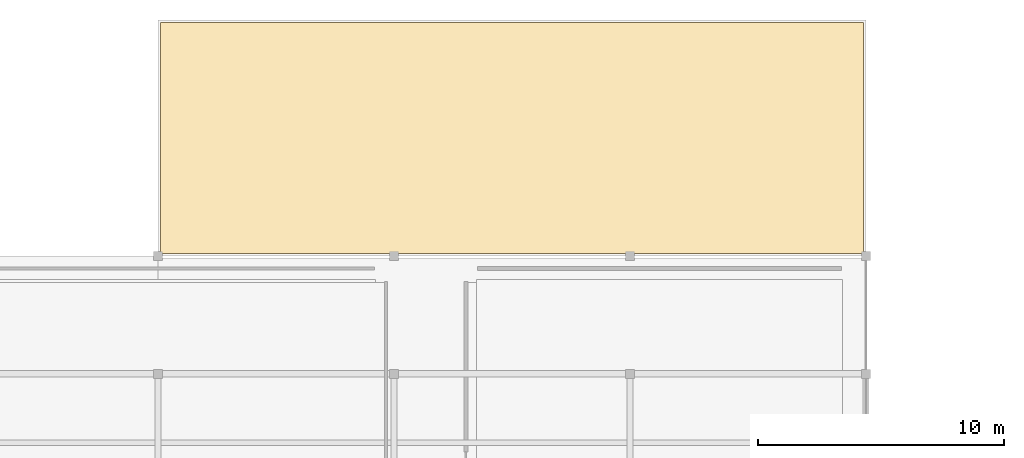
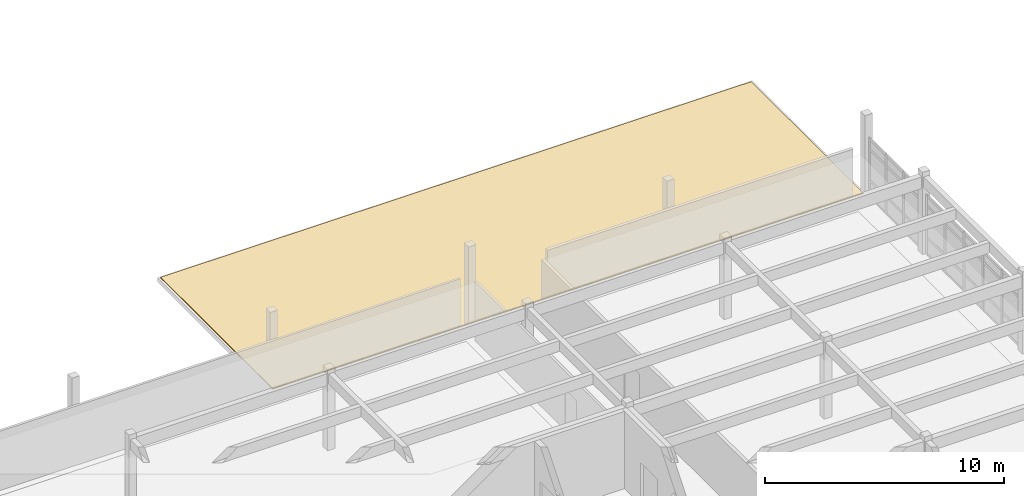
# One storey, part 59 of 61: 1 covering.
"""IFC4 building model written with IfcOpenShell, lengths in metres."""

import ifcopenshell
import ifcopenshell.guid

model = None  # the IFC model being written
_history = None  # IfcOwnerHistory: only IFC2X3 demands one
_inside = {}  # id of a spatial element -> (the spatial element, [elements in it])
_under = {}  # id of a project, library or spatial element -> (it, [spatial elements below it])
_declared = {}  # id of a project -> (the project, [libraries it declares])
_typed = {}  # id of a type object -> (the type object, [elements of that type])
_made_of = {}  # id of a material, layer set ... -> (it, [elements and type objects made of it])


def new_model(schema):
    """Start an empty IFC model of exactly this schema.

    Asked for "IFC4X3", IfcOpenShell would pick the latest addendum, in which some entities
    have other attributes; the version numbers below select the first issue.
    IFC2X3 requires an IfcOwnerHistory on every rooted entity: one is made here for all.
    """
    global model, _history
    if schema == "IFC4X3":
        model = ifcopenshell.file(schema_version=(4, 3, 0, 0))
    else:
        model = ifcopenshell.file(schema=schema)
    _inside.clear()
    _under.clear()
    _declared.clear()
    _typed.clear()
    _made_of.clear()
    _history = None
    if model.schema == "IFC2X3":
        org = make("IfcOrganization", Name="unknown")
        user = make(
            "IfcPersonAndOrganization",
            ThePerson=make("IfcPerson", FamilyName="unknown"),
            TheOrganization=org,
        )
        app = make(
            "IfcApplication",
            ApplicationDeveloper=org,
            Version="unknown",
            ApplicationFullName="unknown",
            ApplicationIdentifier="unknown",
        )
        _history = make(
            "IfcOwnerHistory",
            OwningUser=user,
            OwningApplication=app,
            ChangeAction="ADDED",
            CreationDate=0,
        )
    return model


def make(cls, **values):
    """One entity of the class cls with the attributes given. An attribute that is None is left unset."""
    return model.create_entity(
        cls, **{name: value for name, value in values.items() if value is not None}
    )


def rooted(cls, **values):
    """An entity with a GlobalId (a new one), such as an element, a storey or a relation."""
    return make(cls, GlobalId=ifcopenshell.guid.new(), OwnerHistory=_history, **values)


def si_unit(unit_type, name, prefix=None):
    """IfcSIUnit, for example si_unit("LENGTHUNIT", "METRE", prefix="MILLI")."""
    return make("IfcSIUnit", UnitType=unit_type, Prefix=prefix, Name=name)


def assignment(units):
    """IfcUnitAssignment: the units of a project."""
    return None if units is None else make("IfcUnitAssignment", Units=units)


def point(xyz):
    """IfcCartesianPoint."""
    return None if xyz is None else make("IfcCartesianPoint", Coordinates=xyz)


def direction(xyz):
    """IfcDirection."""
    return None if xyz is None else make("IfcDirection", DirectionRatios=xyz)


def frame(location, z_axis=None, x_axis=None):
    """IfcAxis2Placement3D, a coordinate frame: its origin and axes. An axis left out is left unset."""
    return make(
        "IfcAxis2Placement3D",
        Location=point(location),
        Axis=direction(z_axis),
        RefDirection=direction(x_axis),
    )


def origin():
    """The frame at (0, 0, 0) with its axes left unset."""
    return frame((0.0, 0.0, 0.0))


def place(relative_to, where):
    """IfcLocalPlacement: puts the frame where relative to a parent placement (None: the world)."""
    return make(
        "IfcLocalPlacement", PlacementRelTo=relative_to, RelativePlacement=where
    )


def context(
    kind, dimensions, precision=None, world=None, true_north=None, identifier=None
):
    """IfcGeometricRepresentationContext, for example the 3D "Model" context."""
    return make(
        "IfcGeometricRepresentationContext",
        ContextIdentifier=identifier,
        ContextType=kind,
        CoordinateSpaceDimension=dimensions,
        Precision=precision,
        WorldCoordinateSystem=world,
        TrueNorth=true_north,
    )


def subcontext(parent, identifier, kind, view, scale=None):
    """IfcGeometricRepresentationSubContext, for example "Body" below "Model"."""
    return make(
        "IfcGeometricRepresentationSubContext",
        ContextIdentifier=identifier,
        ContextType=kind,
        ParentContext=parent,
        TargetScale=scale,
        TargetView=view,
    )


def project(units=None, contexts=None):
    """IfcProject with its units and contexts."""
    return rooted(
        "IfcProject",
        Name="project",
        RepresentationContexts=contexts,
        UnitsInContext=assignment(units),
    )


def spatial(cls, under=None, at=None, **own):
    """A site, building, storey or space (cls), placed at a placement, below another one or the project."""
    s = rooted(cls, ObjectPlacement=at, **own)
    if under is not None:
        _under.setdefault(under.id(), (under, []))[1].append(s)
    return s


def polyline(points):
    """IfcPolyline through the points."""
    return make("IfcPolyline", Points=[point(p) for p in points])


def outline(outer, holes=None, kind="AREA"):
    """IfcArbitraryClosedProfileDef: a profile drawn as a closed curve; with holes, ...WithVoids."""
    if holes is None:
        return make("IfcArbitraryClosedProfileDef", ProfileType=kind, OuterCurve=outer)
    return make(
        "IfcArbitraryProfileDefWithVoids",
        ProfileType=kind,
        OuterCurve=outer,
        InnerCurves=holes,
    )


def extrude(swept, where, along, depth):
    """IfcExtrudedAreaSolid: the profile swept, set in the frame where, extruded along a direction by depth."""
    return make(
        "IfcExtrudedAreaSolid",
        SweptArea=swept,
        Position=where,
        ExtrudedDirection=direction(along),
        Depth=depth,
    )


def shape(context_of_items, identifier, shape_type, items):
    """IfcShapeRepresentation: the items that make up one representation, for example the "Body"."""
    return make(
        "IfcShapeRepresentation",
        ContextOfItems=context_of_items,
        RepresentationIdentifier=identifier,
        RepresentationType=shape_type,
        Items=items,
    )


def material(Name=None, Category=None):
    """IfcMaterial."""
    return make("IfcMaterial", Name=Name, Category=Category)


def layer(
    of_material, thickness, ventilated=None, Name=None, Category=None, Priority=None
):
    """IfcMaterialLayer: one layer of a wall or slab, of a material (None: an air gap)."""
    return make(
        "IfcMaterialLayer",
        Material=of_material,
        LayerThickness=thickness,
        IsVentilated=ventilated,
        Name=Name,
        Category=Category,
        Priority=Priority,
    )


def layer_set(layers, Name=None):
    """IfcMaterialLayerSet."""
    return make("IfcMaterialLayerSet", MaterialLayers=layers, LayerSetName=Name)


def made_of(thing, what):
    """Note that an element or type object is made of a material, layer set ...; save() writes the relation."""
    if what is not None:
        _made_of.setdefault(what.id(), (what, []))[1].append(thing)
    return thing


def type_object(cls, material=None, **own):
    """A type object (cls), such as IfcWallType, which elements share."""
    return made_of(rooted(cls, **own), material)


def element(
    cls,
    number,
    at=None,
    inside=None,
    cuts=None,
    type_object=None,
    material=None,
    context=None,
    identifier="Body",
    shape_type=None,
    held_by="IfcProductDefinitionShape",
    body=None,
    shapes=None,
    **own,
):
    """One element of the class cls, such as IfcWall. Its Tag is "e" and its number.

    at: its placement. inside: the storey or other place that contains it. cuts: it is an
    opening in that element (IfcRelVoidsElement). A single representation is given by context,
    identifier, shape_type and body (its items); several are given by shapes. held_by: the class
    of the entity that holds the representations. save() writes the other relations.
    """
    e = rooted(cls, Tag="e%d" % number, ObjectPlacement=at, **own)
    if body is not None:
        shapes = [shape(context, identifier, shape_type, body)]
    if shapes is not None:
        e.Representation = make(held_by, Representations=shapes)
    if inside is not None:
        _inside.setdefault(inside.id(), (inside, []))[1].append(e)
    if cuts is not None:
        rooted(
            "IfcRelVoidsElement", RelatingBuildingElement=cuts, RelatedOpeningElement=e
        )
    if type_object is not None:
        _typed.setdefault(type_object.id(), (type_object, []))[1].append(e)
    return made_of(e, material)


def aggregate(whole, parts):
    """IfcRelAggregates: a whole, such as a stair, and the parts it consists of."""
    return rooted("IfcRelAggregates", RelatingObject=whole, RelatedObjects=parts)


def save(model, path):
    """Write the relations noted so far, then the file.

    IfcRelAggregates (storeys below a building ...), IfcRelContainedInSpatialStructure (elements
    in a storey), IfcRelDefinesByType, IfcRelAssociatesMaterial and IfcRelDeclares: one each for
    every whole, place, type object, material and project.
    """
    for whole, parts in _under.values():
        aggregate(whole, parts)
    for where, things in _inside.values():
        rooted(
            "IfcRelContainedInSpatialStructure",
            RelatedElements=things,
            RelatingStructure=where,
        )
    for kind, things in _typed.values():
        rooted("IfcRelDefinesByType", RelatedObjects=things, RelatingType=kind)
    for what, things in _made_of.values():
        rooted("IfcRelAssociatesMaterial", RelatedObjects=things, RelatingMaterial=what)
    for by, libraries in _declared.values():
        rooted("IfcRelDeclares", RelatingContext=by, RelatedDefinitions=libraries)
    model.write(path)


model = new_model("IFC4")

# Units and contexts
model_context = context("Model", 3, precision=1e-05, world=origin(), true_north=direction((0.0, 1.0)))
body_context = subcontext(model_context, "Body", "Model", "MODEL_VIEW")
ifc_project = project(units=[si_unit("LENGTHUNIT", "METRE"), si_unit("AREAUNIT", "SQUARE_METRE"), si_unit("VOLUMEUNIT", "CUBIC_METRE"), si_unit("PLANEANGLEUNIT", "RADIAN"), si_unit("MASSUNIT", "GRAM", prefix="KILO")], contexts=[model_context])

# Site, building, storey
site_placement = place(None, origin())
site = spatial("IfcSite", under=ifc_project, at=site_placement, CompositionType="ELEMENT")
building_placement = place(site_placement, origin())
building = spatial("IfcBuilding", under=site, at=building_placement, Name="Kolvemor Railside Polytechnic", CompositionType="ELEMENT")
storey_placement = place(building_placement, frame((0.0, 0.0, 10.199951171875)))
storey = spatial("IfcBuildingStorey", under=building, at=storey_placement, Name="L02", CompositionType="ELEMENT", Elevation=10.199951171875)

# Covering
ifc_material = material(Name="High-reflectance tropical cool-roof TPO membrane")
ifc_layer = layer(ifc_material, 0.044921875, Name="COV-ROOF-TPO")
ifc_layer_set = layer_set([ifc_layer], Name="High-reflectance tropical cool-roof TPO membrane")
covering_type = type_object("IfcCoveringType", Name="COV-ROOF-TPO", PredefinedType="ROOFING", material=ifc_layer_set)
covering_placement = place(storey_placement, origin())
element("IfcCovering", 1, at=covering_placement, inside=storey, type_object=covering_type, Name="Link Roof Membrane 1", PredefinedType="ROOFING", context=body_context, shape_type="SweptSolid", body=[
    extrude(outline(polyline([(19.300048828125, 81.699951171875), (47.89990234375, 81.699951171875), (47.89990234375, 91.10009765625), (19.300048828125, 91.10009765625), (19.300048828125, 81.699951171875)])), origin(), (0.0, 0.0, 1.0), 0.045166015625),
])

save(model, "model.ifc")
